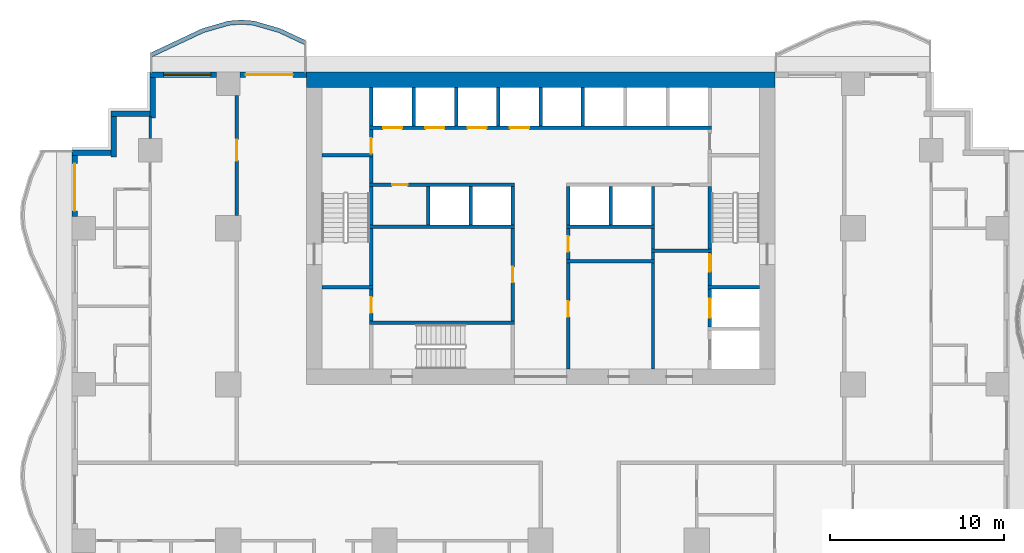
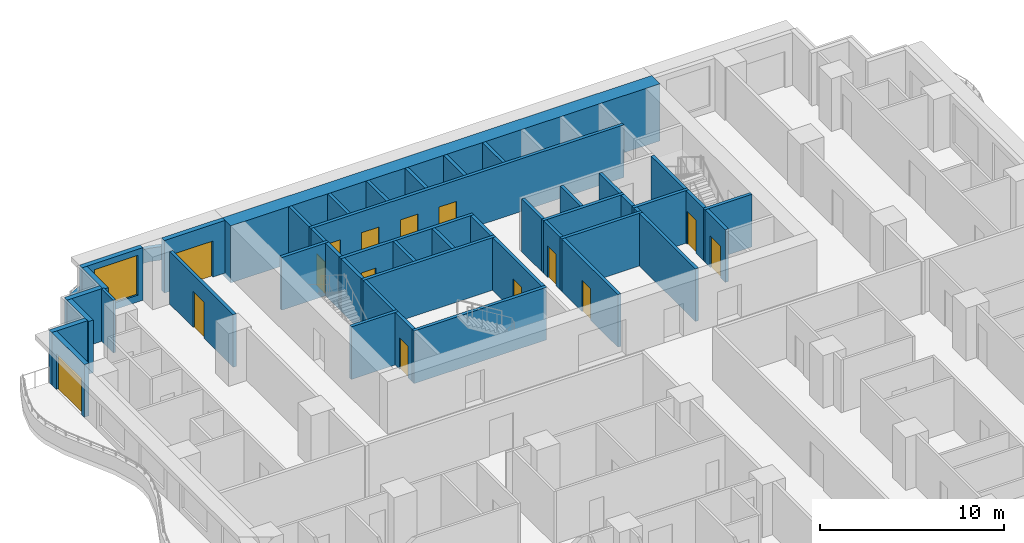
# One storey, part 5 of 13: 47 walls, 15 doors, 1 window, 16 openings.
"""IFC4 building model written with IfcOpenShell, lengths in metres."""

from ifc_helpers import new_model, si_unit, direction, frame, frame_2d, origin, place, context, subcontext, project, spatial, polyline, rectangle, outline, extrude, material, layer, layer_set, type_object, element, fill, save


model = new_model("IFC4")

# Units and contexts
model_context = context("Model", 3, precision=1e-05, world=origin(), true_north=direction((0.0, 1.0)))
body_context = subcontext(model_context, "Body", "Model", "MODEL_VIEW")
ifc_project = project(units=[si_unit("LENGTHUNIT", "METRE"), si_unit("AREAUNIT", "SQUARE_METRE"), si_unit("VOLUMEUNIT", "CUBIC_METRE"), si_unit("PLANEANGLEUNIT", "RADIAN"), si_unit("MASSUNIT", "GRAM", prefix="KILO")], contexts=[model_context])

# Site, building, storey
site_placement = place(None, origin())
site = spatial("IfcSite", under=ifc_project, at=site_placement, CompositionType="ELEMENT")
building_placement = place(site_placement, origin())
building = spatial("IfcBuilding", under=site, at=building_placement, Name="Orbiselva Terraces", CompositionType="ELEMENT")
storey_placement = place(building_placement, frame((0.0, 0.0, 77.0)))
storey = spatial("IfcBuildingStorey", under=building, at=storey_placement, Name="L19", CompositionType="ELEMENT", Elevation=77.0)

# Wall
ifc_material_1 = material(Name="Concrete C80/95", Category="concrete")
ifc_layer_1 = layer(ifc_material_1, 0.9)
ifc_layer_set_1 = layer_set([ifc_layer_1], Name="Concrete C80/95")
wall_type_1 = type_object("IfcWallType", Name="CORE WALL 900 EXTERNAL", PredefinedType="SHEAR", material=ifc_layer_set_1)
wall_1_placement = place(storey_placement, frame((13.5, 22.05, -0.3), z_axis=(0.0, 0.0, 1.0), x_axis=(-1.0, 0.0, 0.0)))
element("IfcWall", 1, at=wall_1_placement, inside=storey, type_object=wall_type_1, Name="Core wall L19 north", PredefinedType="SHEAR", context=body_context, shape_type="SweptSolid", body=[
    extrude(rectangle(XDim=27.0, YDim=0.9, at=frame_2d((13.5, 0.0))), origin(), (0.0, 0.0, 1.0), 3.8),
])

# Wall, opening, door
ifc_material_2 = material(Name="Masonry blockwork", Category="masonry")
ifc_layer_2 = layer(ifc_material_2, 0.2)
ifc_layer_set_2 = layer_set([ifc_layer_2], Name="Masonry blockwork")
wall_type_2 = type_object("IfcWallType", Name="CORE-WALL-PARTITION-200", PredefinedType="PARTITIONING", material=ifc_layer_set_2)
wall_2_placement = place(storey_placement, frame((-9.75, 8.15, 0.0), z_axis=(0.0, 0.0, 1.0), x_axis=(0.0, 1.0, 0.0)))
wall_2 = element("IfcWall", 2, at=wall_2_placement, inside=storey, type_object=wall_type_2, Name="L19 core wall 05", PredefinedType="PARTITIONING", context=body_context, shape_type="SweptSolid", body=[
    extrude(rectangle(XDim=1.85, YDim=0.2, at=frame_2d((0.925, 0.0))), origin(), (0.0, 0.0, 1.0), 3.5),
])
opening_1_placement = place(wall_2_placement, frame((0.475, 0.0, 0.0)))
opening_1 = element("IfcOpeningElement", 3, at=opening_1_placement, cuts=wall_2, Name="Opening DR900", PredefinedType="OPENING", context=body_context, shape_type="SweptSolid", body=[
    extrude(rectangle(XDim=0.9, YDim=2.1, at=frame_2d((0.45, 1.05))), frame((0.0, 0.11, 0.0), z_axis=(0.0, -1.0, 0.0), x_axis=(1.0, 0.0, 0.0)), (0.0, 0.0, 1.0), 0.22),
])
ifc_material_3 = material(Name="Steel fire door", Category="steel")
door_type_1 = type_object("IfcDoorType", Name="ROOM DOOR 900", OperationType="NOTDEFINED", PredefinedType="DOOR", material=ifc_material_3)
door_1_placement = place(opening_1_placement, origin())
door_1 = element("IfcDoor", 4, at=door_1_placement, inside=storey, type_object=door_type_1, Name="L19 ACCESSIBLE WC door", OperationType="SINGLE_SWING_RIGHT", OverallHeight=2.1, OverallWidth=0.9, PredefinedType="DOOR", context=body_context, shape_type="SweptSolid", body=[
    extrude(rectangle(XDim=0.9, YDim=2.1, at=frame_2d((0.45, 1.05))), frame((0.0, 0.025, 0.0), z_axis=(0.0, -1.0, 0.0), x_axis=(1.0, 0.0, 0.0)), (0.0, 0.0, 1.0), 0.05),
])
fill(opening_1, door_1)

wall_3_placement = place(storey_placement, frame((-9.75, 17.8, 0.0), z_axis=(0.0, 0.0, 1.0), x_axis=(0.0, 1.0, 0.0)))
wall_3 = element("IfcWall", 5, at=wall_3_placement, inside=storey, type_object=wall_type_2, Name="L19 core wall 11", PredefinedType="PARTITIONING", context=body_context, shape_type="SweptSolid", body=[
    extrude(rectangle(XDim=1.4, YDim=0.2, at=frame_2d((0.7, 0.0))), origin(), (0.0, 0.0, 1.0), 3.5),
])
opening_2_placement = place(wall_3_placement, origin())
opening_2 = element("IfcOpeningElement", 6, at=opening_2_placement, cuts=wall_3, Name="Opening DR900", PredefinedType="OPENING", context=body_context, shape_type="SweptSolid", body=[
    extrude(rectangle(XDim=0.9, YDim=2.1, at=frame_2d((0.45, 1.05))), frame((0.0, 0.11, 0.0), z_axis=(0.0, -1.0, 0.0), x_axis=(1.0, 0.0, 0.0)), (0.0, 0.0, 1.0), 0.22),
])
door_2_placement = place(opening_2_placement, origin())
door_2 = element("IfcDoor", 7, at=door_2_placement, inside=storey, type_object=door_type_1, Name="L19 COMMS RISER ROOM door", OperationType="SINGLE_SWING_LEFT", OverallHeight=2.1, OverallWidth=0.9, PredefinedType="DOOR", context=body_context, shape_type="SweptSolid", body=[
    extrude(rectangle(XDim=0.9, YDim=2.1, at=frame_2d((0.45, 1.05))), frame((0.0, 0.025, 0.0), z_axis=(0.0, -1.0, 0.0), x_axis=(1.0, 0.0, 0.0)), (0.0, 0.0, 1.0), 0.05),
])
fill(opening_2, door_2)

wall_4_placement = place(storey_placement, frame((1.6, 13.5, 0.0), z_axis=(0.0, 0.0, 1.0), x_axis=(0.0, -1.0, 0.0)))
wall_4 = element("IfcWall", 8, at=wall_4_placement, inside=storey, type_object=wall_type_2, Name="L19 core wall 25", PredefinedType="PARTITIONING", context=body_context, shape_type="SweptSolid", body=[
    extrude(rectangle(XDim=1.8, YDim=0.2, at=frame_2d((0.9, 0.0))), origin(), (0.0, 0.0, 1.0), 3.5),
])
opening_3_placement = place(wall_4_placement, frame((0.45, 0.0, 0.0)))
opening_3 = element("IfcOpeningElement", 9, at=opening_3_placement, cuts=wall_4, Name="Opening DR900", PredefinedType="OPENING", context=body_context, shape_type="SweptSolid", body=[
    extrude(rectangle(XDim=0.9, YDim=2.1, at=frame_2d((0.45, 1.05))), frame((0.0, 0.11, 0.0), z_axis=(0.0, -1.0, 0.0), x_axis=(1.0, 0.0, 0.0)), (0.0, 0.0, 1.0), 0.22),
])
door_3_placement = place(opening_3_placement, origin())
door_3 = element("IfcDoor", 10, at=door_3_placement, inside=storey, type_object=door_type_1, Name="L19 IT ROOM door", OperationType="SINGLE_SWING_LEFT", OverallHeight=2.1, OverallWidth=0.9, PredefinedType="DOOR", context=body_context, shape_type="SweptSolid", body=[
    extrude(rectangle(XDim=0.9, YDim=2.1, at=frame_2d((0.45, 1.05))), frame((0.0, 0.025, 0.0), z_axis=(0.0, -1.0, 0.0), x_axis=(1.0, 0.0, 0.0)), (0.0, 0.0, 1.0), 0.05),
])
fill(opening_3, door_3)

# Walls
wall_5_placement = place(storey_placement, frame((6.475, 12.3, 0.0), z_axis=(0.0, 0.0, 1.0), x_axis=(0.0, 1.0, 0.0)))
element("IfcWall", 11, at=wall_5_placement, inside=storey, type_object=wall_type_2, Name="L19 core wall 35", PredefinedType="PARTITIONING", context=body_context, shape_type="SweptSolid", body=[
    extrude(rectangle(XDim=1.2, YDim=0.2, at=frame_2d((0.6, 0.0))), origin(), (0.0, 0.0, 1.0), 3.5),
])
ifc_material_4 = material(Name="Concrete C40/50", Category="concrete")
ifc_layer_3 = layer(ifc_material_4, 0.2)
ifc_layer_set_3 = layer_set([ifc_layer_3], Name="Concrete C40/50")
wall_type_3 = type_object("IfcWallType", Name="CORE-WALL-SHAFT-200", PredefinedType="PARTITIONING", material=ifc_layer_set_3)
for number, where, z_axis, x_axis, name in (
    (12, (-9.75, 19.4, 0.0), (0.0, 0.0, 1.0), (0.0, 1.0, 0.0), "L19 core wall 13"),
    (13, (-7.3125, 19.4, 0.0), (0.0, 0.0, 1.0), (0.0, 1.0, 0.0), "L19 core wall 14"),
    (14, (-6.475, 13.7, 0.0), (0.0, 0.0, 1.0), (0.0, 1.0, 0.0), "L19 core wall 15"),
    (15, (-4.875, 19.4, 0.0), (0.0, 0.0, 1.0), (0.0, 1.0, 0.0), "L19 core wall 16"),
    (16, (-4.0375, 13.7, 0.0), (0.0, 0.0, 1.0), (0.0, 1.0, 0.0), "L19 core wall 17"),
    (17, (-2.4375, 19.4, 0.0), (0.0, 0.0, 1.0), (0.0, 1.0, 0.0), "L19 core wall 18"),
    (18, (-1.6, 13.7, 0.0), (0.0, 0.0, 1.0), (0.0, 1.0, 0.0), "L19 core wall 21"),
    (19, (0.0, 19.4, 0.0), (0.0, 0.0, 1.0), (0.0, 1.0, 0.0), "L19 core wall 22"),
    (20, (1.6, 13.7, 0.0), (0.0, 0.0, 1.0), (0.0, 1.0, 0.0), "L19 core wall 27"),
    (21, (2.4375, 19.4, 0.0), (0.0, 0.0, 1.0), (0.0, 1.0, 0.0), "L19 core wall 29"),
    (22, (4.0375, 13.7, 0.0), (0.0, 0.0, 1.0), (0.0, 1.0, 0.0), "L19 core wall 30"),
    (23, (6.475, 13.7, 0.0), (0.0, 0.0, 1.0), (0.0, 1.0, 0.0), "L19 core wall 36"),
):
    element("IfcWall", number, at=place(storey_placement, frame(where, z_axis=z_axis, x_axis=x_axis)), inside=storey, type_object=wall_type_3, Name=name, PredefinedType="PARTITIONING", context=body_context, shape_type="SweptSolid", body=[
        extrude(rectangle(XDim=2.2, YDim=0.2, at=frame_2d((1.1, 0.0))), origin(), (0.0, 0.0, 1.0), 3.5),
    ])
ifc_material_5 = material(Name="Concrete C60/75", Category="concrete")
ifc_layer_4 = layer(ifc_material_5, 0.2)
ifc_layer_set_4 = layer_set([ifc_layer_4], Name="Concrete C60/75")
wall_type_4 = type_object("IfcWallType", Name="CORE-WALL-SHEAR-200", PredefinedType="SHEAR", material=ifc_layer_set_4)
for number, where, z_axis, x_axis, name in (
    (24, (-12.6, 10.1, 0.0), (0.0, 0.0, 1.0), (1.0, 0.0, 0.0), "L19 core wall 01"),
    (25, (-12.6, 17.7, 0.0), (0.0, 0.0, 1.0), (1.0, 0.0, 0.0), "L19 core wall 02"),
):
    element("IfcWall", number, at=place(storey_placement, frame(where, z_axis=z_axis, x_axis=x_axis)), inside=storey, type_object=wall_type_4, Name=name, PredefinedType="SHEAR", context=body_context, shape_type="SweptSolid", body=[
        extrude(rectangle(XDim=2.95, YDim=0.2, at=frame_2d((1.475, 0.0))), origin(), (0.0, 0.0, 1.0), 3.5),
    ])
wall_6_placement = place(storey_placement, frame((-9.85, 8.05, 0.0), z_axis=(0.0, 0.0, 1.0), x_axis=(1.0, 0.0, 0.0)))
element("IfcWall", 26, at=wall_6_placement, inside=storey, type_object=wall_type_4, Name="L19 core wall 04", PredefinedType="SHEAR", context=body_context, shape_type="SweptSolid", body=[
    extrude(rectangle(XDim=8.35, YDim=0.2, at=frame_2d((4.175, 0.0))), origin(), (0.0, 0.0, 1.0), 3.5),
])
wall_7_placement = place(storey_placement, frame((-9.75, 10.2, 0.0), z_axis=(0.0, 0.0, 1.0), x_axis=(0.0, 1.0, 0.0)))
element("IfcWall", 27, at=wall_7_placement, inside=storey, type_object=wall_type_4, Name="L19 core wall 06", PredefinedType="SHEAR", context=body_context, shape_type="SweptSolid", body=[
    extrude(rectangle(XDim=3.3, YDim=0.2, at=frame_2d((1.65, 0.0))), origin(), (0.0, 0.0, 1.0), 3.5),
])
wall_8_placement = place(storey_placement, frame((-9.85, 13.6, 0.0), z_axis=(0.0, 0.0, 1.0), x_axis=(1.0, 0.0, 0.0)))
element("IfcWall", 28, at=wall_8_placement, inside=storey, type_object=wall_type_4, Name="L19 core wall 07", PredefinedType="SHEAR", context=body_context, shape_type="SweptSolid", body=[
    extrude(rectangle(XDim=8.35, YDim=0.2, at=frame_2d((4.175, 0.0))), origin(), (0.0, 0.0, 1.0), 3.5),
])
wall_9_placement = place(storey_placement, frame((-9.75, 13.7, 0.0), z_axis=(0.0, 0.0, 1.0), x_axis=(0.0, 1.0, 0.0)))
element("IfcWall", 29, at=wall_9_placement, inside=storey, type_object=wall_type_4, Name="L19 core wall 08", PredefinedType="SHEAR", context=body_context, shape_type="SweptSolid", body=[
    extrude(rectangle(XDim=2.2, YDim=0.2, at=frame_2d((1.1, 0.0))), origin(), (0.0, 0.0, 1.0), 3.5),
])

# Wall, opening, door
wall_10_placement = place(storey_placement, frame((-1.5, 16.0, 0.0), z_axis=(0.0, 0.0, 1.0), x_axis=(-1.0, 0.0, 0.0)))
wall_10 = element("IfcWall", 30, at=wall_10_placement, inside=storey, type_object=wall_type_4, Name="L19 core wall 09", PredefinedType="SHEAR", context=body_context, shape_type="SweptSolid", body=[
    extrude(rectangle(XDim=8.35, YDim=0.2, at=frame_2d((4.175, 0.0))), origin(), (0.0, 0.0, 1.0), 3.5),
])
opening_4_placement = place(wall_10_placement, frame((6.1625, 0.0, 0.0)))
opening_4 = element("IfcOpeningElement", 31, at=opening_4_placement, cuts=wall_10, Name="Opening DR900", PredefinedType="OPENING", context=body_context, shape_type="SweptSolid", body=[
    extrude(rectangle(XDim=0.9, YDim=2.1, at=frame_2d((0.45, 1.05))), frame((0.0, 0.11, 0.0), z_axis=(0.0, -1.0, 0.0), x_axis=(1.0, 0.0, 0.0)), (0.0, 0.0, 1.0), 0.22),
])
door_4_placement = place(opening_4_placement, origin())
door_4 = element("IfcDoor", 32, at=door_4_placement, inside=storey, type_object=door_type_1, Name="L19 IT ROOM door", OperationType="SINGLE_SWING_RIGHT", OverallHeight=2.1, OverallWidth=0.9, PredefinedType="DOOR", context=body_context, shape_type="SweptSolid", body=[
    extrude(rectangle(XDim=0.9, YDim=2.1, at=frame_2d((0.45, 1.05))), frame((0.0, 0.025, 0.0), z_axis=(0.0, -1.0, 0.0), x_axis=(1.0, 0.0, 0.0)), (0.0, 0.0, 1.0), 0.05),
])
fill(opening_4, door_4)

# Wall
wall_11_placement = place(storey_placement, frame((-9.75, 16.1, 0.0), z_axis=(0.0, 0.0, 1.0), x_axis=(0.0, 1.0, 0.0)))
element("IfcWall", 33, at=wall_11_placement, inside=storey, type_object=wall_type_4, Name="L19 core wall 10", PredefinedType="SHEAR", context=body_context, shape_type="SweptSolid", body=[
    extrude(rectangle(XDim=1.5, YDim=0.2, at=frame_2d((0.75, 0.0))), origin(), (0.0, 0.0, 1.0), 3.5),
])

# Wall, openings, doors
wall_12_placement = place(storey_placement, frame((-9.85, 19.3, 0.0), z_axis=(0.0, 0.0, 1.0), x_axis=(1.0, 0.0, 0.0)))
wall_12 = element("IfcWall", 34, at=wall_12_placement, inside=storey, type_object=wall_type_4, Name="L19 core wall 12", PredefinedType="SHEAR", context=body_context, shape_type="SweptSolid", body=[
    extrude(rectangle(XDim=19.7, YDim=0.2, at=frame_2d((9.85, 0.0))), origin(), (0.0, 0.0, 1.0), 3.5),
])
opening_5_placement = place(wall_12_placement, frame((0.76875, 0.0, 0.0)))
opening_5 = element("IfcOpeningElement", 35, at=opening_5_placement, cuts=wall_12, Name="Opening LD-LR1", PredefinedType="OPENING", context=body_context, shape_type="SweptSolid", body=[
    extrude(rectangle(XDim=1.1, YDim=2.1, at=frame_2d((0.55, 1.05))), frame((0.0, 0.11, 0.0), z_axis=(0.0, -1.0, 0.0), x_axis=(1.0, 0.0, 0.0)), (0.0, 0.0, 1.0), 0.22),
])
opening_6_placement = place(wall_12_placement, frame((3.20625, 0.0, 0.0)))
opening_6 = element("IfcOpeningElement", 36, at=opening_6_placement, cuts=wall_12, Name="Opening LD-LR2", PredefinedType="OPENING", context=body_context, shape_type="SweptSolid", body=[
    extrude(rectangle(XDim=1.1, YDim=2.1, at=frame_2d((0.55, 1.05))), frame((0.0, 0.11, 0.0), z_axis=(0.0, -1.0, 0.0), x_axis=(1.0, 0.0, 0.0)), (0.0, 0.0, 1.0), 0.22),
])
opening_7_placement = place(wall_12_placement, frame((5.64375, 0.0, 0.0)))
opening_7 = element("IfcOpeningElement", 37, at=opening_7_placement, cuts=wall_12, Name="Opening LD-LR3", PredefinedType="OPENING", context=body_context, shape_type="SweptSolid", body=[
    extrude(rectangle(XDim=1.1, YDim=2.1, at=frame_2d((0.55, 1.05))), frame((0.0, 0.11, 0.0), z_axis=(0.0, -1.0, 0.0), x_axis=(1.0, 0.0, 0.0)), (0.0, 0.0, 1.0), 0.22),
])
opening_8_placement = place(wall_12_placement, frame((8.08125, 0.0, 0.0)))
opening_8 = element("IfcOpeningElement", 38, at=opening_8_placement, cuts=wall_12, Name="Opening LD-LR4", PredefinedType="OPENING", context=body_context, shape_type="SweptSolid", body=[
    extrude(rectangle(XDim=1.1, YDim=2.1, at=frame_2d((0.55, 1.05))), frame((0.0, 0.11, 0.0), z_axis=(0.0, -1.0, 0.0), x_axis=(1.0, 0.0, 0.0)), (0.0, 0.0, 1.0), 0.22),
])
ifc_material_6 = material(Name="Stainless steel landing door", Category="steel")
door_type_2 = type_object("IfcDoorType", Name="LANDING DOOR 1100", OperationType="SLIDING_TO_LEFT", PredefinedType="DOOR", material=ifc_material_6)
door_5_placement = place(opening_5_placement, origin())
door_5 = element("IfcDoor", 39, at=door_5_placement, inside=storey, type_object=door_type_2, Name="L19 landing door LR1", OperationType="SLIDING_TO_LEFT", OverallHeight=2.1, OverallWidth=1.1, PredefinedType="DOOR", context=body_context, shape_type="SweptSolid", body=[
    extrude(rectangle(XDim=1.1, YDim=2.1, at=frame_2d((0.55, 1.05))), frame((0.0, 0.025, 0.0), z_axis=(0.0, -1.0, 0.0), x_axis=(1.0, 0.0, 0.0)), (0.0, 0.0, 1.0), 0.05),
])
fill(opening_5, door_5)
door_6_placement = place(opening_6_placement, origin())
door_6 = element("IfcDoor", 40, at=door_6_placement, inside=storey, type_object=door_type_2, Name="L19 landing door LR2", OperationType="SLIDING_TO_LEFT", OverallHeight=2.1, OverallWidth=1.1, PredefinedType="DOOR", context=body_context, shape_type="SweptSolid", body=[
    extrude(rectangle(XDim=1.1, YDim=2.1, at=frame_2d((0.55, 1.05))), frame((0.0, 0.025, 0.0), z_axis=(0.0, -1.0, 0.0), x_axis=(1.0, 0.0, 0.0)), (0.0, 0.0, 1.0), 0.05),
])
fill(opening_6, door_6)
door_7_placement = place(opening_7_placement, origin())
door_7 = element("IfcDoor", 41, at=door_7_placement, inside=storey, type_object=door_type_2, Name="L19 landing door LR3", OperationType="SLIDING_TO_LEFT", OverallHeight=2.1, OverallWidth=1.1, PredefinedType="DOOR", context=body_context, shape_type="SweptSolid", body=[
    extrude(rectangle(XDim=1.1, YDim=2.1, at=frame_2d((0.55, 1.05))), frame((0.0, 0.025, 0.0), z_axis=(0.0, -1.0, 0.0), x_axis=(1.0, 0.0, 0.0)), (0.0, 0.0, 1.0), 0.05),
])
fill(opening_7, door_7)
door_8_placement = place(opening_8_placement, origin())
door_8 = element("IfcDoor", 42, at=door_8_placement, inside=storey, type_object=door_type_2, Name="L19 landing door LR4", OperationType="SLIDING_TO_LEFT", OverallHeight=2.1, OverallWidth=1.1, PredefinedType="DOOR", context=body_context, shape_type="SweptSolid", body=[
    extrude(rectangle(XDim=1.1, YDim=2.1, at=frame_2d((0.55, 1.05))), frame((0.0, 0.025, 0.0), z_axis=(0.0, -1.0, 0.0), x_axis=(1.0, 0.0, 0.0)), (0.0, 0.0, 1.0), 0.05),
])
fill(opening_8, door_8)

# Wall, opening, door
wall_13_placement = place(storey_placement, frame((-1.6, 8.15, 0.0), z_axis=(0.0, 0.0, 1.0), x_axis=(0.0, 1.0, 0.0)))
wall_13 = element("IfcWall", 43, at=wall_13_placement, inside=storey, type_object=wall_type_4, Name="L19 core wall 20", PredefinedType="SHEAR", context=body_context, shape_type="SweptSolid", body=[
    extrude(rectangle(XDim=5.35, YDim=0.2, at=frame_2d((2.675, 0.0))), origin(), (0.0, 0.0, 1.0), 3.5),
])
opening_9_placement = place(wall_13_placement, frame((2.225, 0.0, 0.0)))
opening_9 = element("IfcOpeningElement", 44, at=opening_9_placement, cuts=wall_13, Name="Opening DR900", PredefinedType="OPENING", context=body_context, shape_type="SweptSolid", body=[
    extrude(rectangle(XDim=0.9, YDim=2.1, at=frame_2d((0.45, 1.05))), frame((0.0, 0.11, 0.0), z_axis=(0.0, -1.0, 0.0), x_axis=(1.0, 0.0, 0.0)), (0.0, 0.0, 1.0), 0.22),
])
door_9_placement = place(opening_9_placement, origin())
door_9 = element("IfcDoor", 45, at=door_9_placement, inside=storey, type_object=door_type_1, Name="L19 LINEN STORE door", OperationType="SINGLE_SWING_RIGHT", OverallHeight=2.1, OverallWidth=0.9, PredefinedType="DOOR", context=body_context, shape_type="SweptSolid", body=[
    extrude(rectangle(XDim=0.9, YDim=2.1, at=frame_2d((0.45, 1.05))), frame((0.0, 0.025, 0.0), z_axis=(0.0, -1.0, 0.0), x_axis=(1.0, 0.0, 0.0)), (0.0, 0.0, 1.0), 0.05),
])
fill(opening_9, door_9)

wall_14_placement = place(storey_placement, frame((1.6, 11.5, 0.0), z_axis=(0.0, 0.0, 1.0), x_axis=(0.0, -1.0, 0.0)))
wall_14 = element("IfcWall", 46, at=wall_14_placement, inside=storey, type_object=wall_type_4, Name="L19 core wall 23", PredefinedType="SHEAR", context=body_context, shape_type="SweptSolid", body=[
    extrude(rectangle(XDim=6.1, YDim=0.2, at=frame_2d((3.05, 0.0))), origin(), (0.0, 0.0, 1.0), 3.5),
])
opening_10_placement = place(wall_14_placement, frame((2.2, 0.0, 0.0)))
opening_10 = element("IfcOpeningElement", 47, at=opening_10_placement, cuts=wall_14, Name="Opening DR900", PredefinedType="OPENING", context=body_context, shape_type="SweptSolid", body=[
    extrude(rectangle(XDim=0.9, YDim=2.1, at=frame_2d((0.45, 1.05))), frame((0.0, 0.11, 0.0), z_axis=(0.0, -1.0, 0.0), x_axis=(1.0, 0.0, 0.0)), (0.0, 0.0, 1.0), 0.22),
])
door_10_placement = place(opening_10_placement, origin())
door_10 = element("IfcDoor", 48, at=door_10_placement, inside=storey, type_object=door_type_1, Name="L19 SERVICE ROOM door", OperationType="SINGLE_SWING_LEFT", OverallHeight=2.1, OverallWidth=0.9, PredefinedType="DOOR", context=body_context, shape_type="SweptSolid", body=[
    extrude(rectangle(XDim=0.9, YDim=2.1, at=frame_2d((0.45, 1.05))), frame((0.0, 0.025, 0.0), z_axis=(0.0, -1.0, 0.0), x_axis=(1.0, 0.0, 0.0)), (0.0, 0.0, 1.0), 0.05),
])
fill(opening_10, door_10)

# Walls
for number, where, z_axis, x_axis, name in (
    (49, (1.5, 11.6, 0.0), (0.0, 0.0, 1.0), (1.0, 0.0, 0.0), "L19 core wall 24"),
    (50, (1.5, 13.6, 0.0), (0.0, 0.0, 1.0), (1.0, 0.0, 0.0), "L19 core wall 26"),
):
    element("IfcWall", number, at=place(storey_placement, frame(where, z_axis=z_axis, x_axis=x_axis)), inside=storey, type_object=wall_type_4, Name=name, PredefinedType="SHEAR", context=body_context, shape_type="SweptSolid", body=[
        extrude(rectangle(XDim=5.075, YDim=0.2, at=frame_2d((2.5375, 0.0))), origin(), (0.0, 0.0, 1.0), 3.5),
    ])
wall_15_placement = place(storey_placement, frame((6.475, 5.4, 0.0), z_axis=(0.0, 0.0, 1.0), x_axis=(0.0, 1.0, 0.0)))
element("IfcWall", 51, at=wall_15_placement, inside=storey, type_object=wall_type_4, Name="L19 core wall 32", PredefinedType="SHEAR", context=body_context, shape_type="SweptSolid", body=[
    extrude(rectangle(XDim=6.1, YDim=0.2, at=frame_2d((3.05, 0.0))), origin(), (0.0, 0.0, 1.0), 3.5),
])
wall_16_placement = place(storey_placement, frame((6.475, 11.7, 0.0), z_axis=(0.0, 0.0, 1.0), x_axis=(0.0, 1.0, 0.0)))
element("IfcWall", 52, at=wall_16_placement, inside=storey, type_object=wall_type_4, Name="L19 core wall 33", PredefinedType="SHEAR", context=body_context, shape_type="SweptSolid", body=[
    extrude(rectangle(XDim=0.4, YDim=0.2, at=frame_2d((0.2, 0.0))), origin(), (0.0, 0.0, 1.0), 3.5),
])
wall_17_placement = place(storey_placement, frame((6.375, 12.2, 0.0), z_axis=(0.0, 0.0, 1.0), x_axis=(1.0, 0.0, 0.0)))
element("IfcWall", 53, at=wall_17_placement, inside=storey, type_object=wall_type_4, Name="L19 core wall 34", PredefinedType="SHEAR", context=body_context, shape_type="SweptSolid", body=[
    extrude(rectangle(XDim=3.475, YDim=0.2, at=frame_2d((1.7375, 0.0))), origin(), (0.0, 0.0, 1.0), 3.5),
])

# Wall, opening, door
wall_18_placement = place(storey_placement, frame((9.75, 7.8, 0.0), z_axis=(0.0, 0.0, 1.0), x_axis=(0.0, 1.0, 0.0)))
wall_18 = element("IfcWall", 54, at=wall_18_placement, inside=storey, type_object=wall_type_4, Name="L19 core wall 40", PredefinedType="SHEAR", context=body_context, shape_type="SweptSolid", body=[
    extrude(rectangle(XDim=2.2, YDim=0.2, at=frame_2d((1.1, 0.0))), origin(), (0.0, 0.0, 1.0), 3.5),
])
opening_11_placement = place(wall_18_placement, frame((0.55, 0.0, 0.0)))
opening_11 = element("IfcOpeningElement", 55, at=opening_11_placement, cuts=wall_18, Name="Opening LD-FF2", PredefinedType="OPENING", context=body_context, shape_type="SweptSolid", body=[
    extrude(rectangle(XDim=1.1, YDim=2.1, at=frame_2d((0.55, 1.05))), frame((0.0, 0.11, 0.0), z_axis=(0.0, -1.0, 0.0), x_axis=(1.0, 0.0, 0.0)), (0.0, 0.0, 1.0), 0.22),
])
door_11_placement = place(opening_11_placement, origin())
door_11 = element("IfcDoor", 56, at=door_11_placement, inside=storey, type_object=door_type_2, Name="L19 landing door FF2", OperationType="SLIDING_TO_RIGHT", OverallHeight=2.1, OverallWidth=1.1, PredefinedType="DOOR", context=body_context, shape_type="SweptSolid", body=[
    extrude(rectangle(XDim=1.1, YDim=2.1, at=frame_2d((0.55, 1.05))), frame((0.0, 0.025, 0.0), z_axis=(0.0, -1.0, 0.0), x_axis=(1.0, 0.0, 0.0)), (0.0, 0.0, 1.0), 0.05),
])
fill(opening_11, door_11)

# Wall
wall_19_placement = place(storey_placement, frame((9.65, 10.1, 0.0), z_axis=(0.0, 0.0, 1.0), x_axis=(1.0, 0.0, 0.0)))
element("IfcWall", 57, at=wall_19_placement, inside=storey, type_object=wall_type_4, Name="L19 core wall 41", PredefinedType="SHEAR", context=body_context, shape_type="SweptSolid", body=[
    extrude(rectangle(XDim=2.95, YDim=0.2, at=frame_2d((1.475, 0.0))), origin(), (0.0, 0.0, 1.0), 3.5),
])

# Wall, opening, door
wall_20_placement = place(storey_placement, frame((9.75, 12.1, 0.0), z_axis=(0.0, 0.0, 1.0), x_axis=(0.0, -1.0, 0.0)))
wall_20 = element("IfcWall", 58, at=wall_20_placement, inside=storey, type_object=wall_type_4, Name="L19 core wall 42", PredefinedType="SHEAR", context=body_context, shape_type="SweptSolid", body=[
    extrude(rectangle(XDim=1.9, YDim=0.2, at=frame_2d((0.95, 0.0))), origin(), (0.0, 0.0, 1.0), 3.5),
])
opening_12_placement = place(wall_20_placement, frame((0.1, 0.0, 0.0)))
opening_12 = element("IfcOpeningElement", 59, at=opening_12_placement, cuts=wall_20, Name="Opening DS1000", PredefinedType="OPENING", context=body_context, shape_type="SweptSolid", body=[
    extrude(rectangle(XDim=1.0, YDim=2.2, at=frame_2d((0.5, 1.1))), frame((0.0, 0.11, 0.0), z_axis=(0.0, -1.0, 0.0), x_axis=(1.0, 0.0, 0.0)), (0.0, 0.0, 1.0), 0.22),
])
door_type_3 = type_object("IfcDoorType", Name="STAIR DOOR 1000", OperationType="NOTDEFINED", PredefinedType="DOOR", material=ifc_material_3)
door_12_placement = place(opening_12_placement, origin())
door_12 = element("IfcDoor", 60, at=door_12_placement, inside=storey, type_object=door_type_3, Name="L19 FIRE-FIGHTING LOBBY TO EXIT STAIR S2 door", OperationType="SINGLE_SWING_LEFT", OverallHeight=2.2, OverallWidth=1.0, PredefinedType="DOOR", context=body_context, shape_type="SweptSolid", body=[
    extrude(rectangle(XDim=1.0, YDim=2.2, at=frame_2d((0.5, 1.1))), frame((0.0, 0.025, 0.0), z_axis=(0.0, -1.0, 0.0), x_axis=(1.0, 0.0, 0.0)), (0.0, 0.0, 1.0), 0.05),
])
fill(opening_12, door_12)

# Walls
wall_21_placement = place(storey_placement, frame((9.75, 12.3, 0.0), z_axis=(0.0, 0.0, 1.0), x_axis=(0.0, 1.0, 0.0)))
element("IfcWall", 61, at=wall_21_placement, inside=storey, type_object=wall_type_4, Name="L19 core wall 43", PredefinedType="SHEAR", context=body_context, shape_type="SweptSolid", body=[
    extrude(rectangle(XDim=3.6, YDim=0.2, at=frame_2d((1.8, 0.0))), origin(), (0.0, 0.0, 1.0), 3.5),
])
ifc_layer_5 = layer(ifc_material_4, 0.25)
ifc_layer_set_5 = layer_set([ifc_layer_5], Name="Concrete C40/50")
wall_type_5 = type_object("IfcWallType", Name="ENV-PLANTER-250x900", PredefinedType="USERDEFINED", material=ifc_layer_set_5)
wall_22_placement = place(storey_placement, origin())
element("IfcWall", 62, at=wall_22_placement, inside=storey, type_object=wall_type_5, Name="Balcony planter L19 NW", ObjectType="PLANTER", PredefinedType="USERDEFINED", context=body_context, shape_type="SweptSolid", body=[
    extrude(outline(polyline([(-13.5, 24.3), (-15.0, 25.005342), (-16.5, 25.441268), (-17.25, 25.5), (-18.0, 25.441268), (-19.5, 25.005342), (-21.0, 24.3), (-22.5, 23.594658), (-22.393617, 23.368422), (-20.893617, 24.073764), (-19.411382, 24.770753), (-17.954886, 25.194035), (-17.25, 25.249235), (-16.545114, 25.194035), (-15.088618, 24.770753), (-13.606383, 24.073764), (-13.5, 24.3)])), origin(), (0.0, 0.0, 1.0), 0.9),
])

# Wall, opening, door
ifc_material_7 = material(Name="Terracotta cladding on masonry backing", Category="masonry")
ifc_layer_6 = layer(ifc_material_7, 0.3)
ifc_layer_set_6 = layer_set([ifc_layer_6], Name="Terracotta cladding on masonry backing")
wall_type_6 = type_object("IfcWallType", Name="ENV-WALL-TERRACOTTA-300", PredefinedType="SOLIDWALL", material=ifc_layer_set_6)
wall_23_placement = place(storey_placement, frame((-17.325, 22.35, 0.0), z_axis=(0.0, 0.0, 1.0), x_axis=(1.0, 0.0, 0.0)))
wall_23 = element("IfcWall", 63, at=wall_23_placement, inside=storey, type_object=wall_type_6, Name="Facade wall L19 NW", PredefinedType="SOLIDWALL", context=body_context, shape_type="SweptSolid", body=[
    extrude(rectangle(XDim=3.825, YDim=0.3, at=frame_2d((1.9125, 0.0))), origin(), (0.0, 0.0, 1.0), 3.5),
])
opening_13_placement = place(wall_23_placement, frame((0.325, 0.0, 0.0)))
opening_13 = element("IfcOpeningElement", 64, at=opening_13_placement, cuts=wall_23, Name="Opening Z2-A-E19", PredefinedType="OPENING", context=body_context, shape_type="SweptSolid", body=[
    extrude(rectangle(XDim=2.725, YDim=2.4, at=frame_2d((1.3625, 1.2))), frame((0.0, 0.16, 0.0), z_axis=(0.0, -1.0, 0.0), x_axis=(1.0, 0.0, 0.0)), (0.0, 0.0, 1.0), 0.32),
])
ifc_material_8 = material(Name="Clear low-e glazing in aluminium frame", Category="aluminium")
door_type_4 = type_object("IfcDoorType", Name="BALCONY DOOR 2725 X 2400", OperationType="DOUBLE_DOOR_SLIDING", PredefinedType="DOOR", material=ifc_material_8)
door_13_placement = place(opening_13_placement, origin())
door_13 = element("IfcDoor", 65, at=door_13_placement, inside=storey, type_object=door_type_4, Name="Z2-A-E19", OperationType="SINGLE_SWING_LEFT", OverallHeight=2.4, OverallWidth=2.725, PredefinedType="DOOR", context=body_context, shape_type="SweptSolid", body=[
    extrude(rectangle(XDim=2.725, YDim=2.4, at=frame_2d((1.3625, 1.2))), frame((0.0, 0.025, 0.0), z_axis=(0.0, -1.0, 0.0), x_axis=(1.0, 0.0, 0.0)), (0.0, 0.0, 1.0), 0.05),
])
fill(opening_13, door_13)

# Wall, opening, window
wall_24_placement = place(storey_placement, frame((-22.5, 22.35, 0.0), z_axis=(0.0, 0.0, 1.0), x_axis=(1.0, 0.0, 0.0)))
wall_24 = element("IfcWall", 66, at=wall_24_placement, inside=storey, type_object=wall_type_6, Name="Facade wall L19 NW", PredefinedType="SOLIDWALL", context=body_context, shape_type="SweptSolid", body=[
    extrude(rectangle(XDim=3.825, YDim=0.3, at=frame_2d((1.9125, 0.0))), origin(), (0.0, 0.0, 1.0), 3.5),
])
opening_14_placement = place(wall_24_placement, frame((0.775, 0.0, 0.45)))
opening_14 = element("IfcOpeningElement", 67, at=opening_14_placement, cuts=wall_24, Name="Opening WN5", PredefinedType="OPENING", context=body_context, shape_type="SweptSolid", body=[
    extrude(rectangle(XDim=2.725, YDim=2.65, at=frame_2d((1.3625, 1.325))), frame((0.0, 0.16, 0.0), z_axis=(0.0, -1.0, 0.0), x_axis=(1.0, 0.0, 0.0)), (0.0, 0.0, 1.0), 0.32),
])
window_type = type_object("IfcWindowType", Name="WINDOW 2725 X 2650 S450", PartitioningType="TRIPLE_PANEL_VERTICAL", PredefinedType="WINDOW", material=ifc_material_8)
window_placement = place(opening_14_placement, origin())
window = element("IfcWindow", 68, at=window_placement, inside=storey, type_object=window_type, Name="Window L19 NW", OverallHeight=2.65, OverallWidth=2.725, PartitioningType="SINGLE_PANEL", PredefinedType="WINDOW", context=body_context, shape_type="SweptSolid", body=[
    extrude(rectangle(XDim=2.725, YDim=2.65, at=frame_2d((1.3625, 1.325))), frame((0.0, 0.03, 0.0), z_axis=(0.0, -1.0, 0.0), x_axis=(1.0, 0.0, 0.0)), (0.0, 0.0, 1.0), 0.06),
])
fill(opening_14, window)

# Walls
wall_25_placement = place(storey_placement, frame((-22.35, 19.85, 0.0), z_axis=(0.0, 0.0, 1.0), x_axis=(0.0, 1.0, 0.0)))
element("IfcWall", 69, at=wall_25_placement, inside=storey, type_object=wall_type_6, Name="Facade wall L19 STEP", PredefinedType="SOLIDWALL", context=body_context, shape_type="SweptSolid", body=[
    extrude(rectangle(XDim=2.35, YDim=0.3, at=frame_2d((1.175, 0.0))), origin(), (0.0, 0.0, 1.0), 3.5),
])
wall_26_placement = place(storey_placement, frame((-24.75, 20.1, 0.0), z_axis=(0.0, 0.0, 1.0), x_axis=(1.0, 0.0, 0.0)))
element("IfcWall", 70, at=wall_26_placement, inside=storey, type_object=wall_type_6, Name="Facade wall L19 STEP", PredefinedType="SOLIDWALL", context=body_context, shape_type="SweptSolid", body=[
    extrude(rectangle(XDim=2.25, YDim=0.3, at=frame_2d((1.125, 0.0))), origin(), (0.0, 0.0, 1.0), 3.5),
])
wall_27_placement = place(storey_placement, frame((-24.6, 17.6, 0.0), z_axis=(0.0, 0.0, 1.0), x_axis=(0.0, 1.0, 0.0)))
element("IfcWall", 71, at=wall_27_placement, inside=storey, type_object=wall_type_6, Name="Facade wall L19 STEP", PredefinedType="SOLIDWALL", context=body_context, shape_type="SweptSolid", body=[
    extrude(rectangle(XDim=2.35, YDim=0.3, at=frame_2d((1.175, 0.0))), origin(), (0.0, 0.0, 1.0), 3.5),
])
wall_28_placement = place(storey_placement, frame((-27.0, 17.85, 0.0), z_axis=(0.0, 0.0, 1.0), x_axis=(1.0, 0.0, 0.0)))
element("IfcWall", 72, at=wall_28_placement, inside=storey, type_object=wall_type_6, Name="Facade wall L19 STEP", PredefinedType="SOLIDWALL", context=body_context, shape_type="SweptSolid", body=[
    extrude(rectangle(XDim=2.25, YDim=0.3, at=frame_2d((1.125, 0.0))), origin(), (0.0, 0.0, 1.0), 3.5),
])

# Wall, opening, door
wall_29_placement = place(storey_placement, frame((-26.85, 14.175, 0.0), z_axis=(0.0, 0.0, 1.0), x_axis=(0.0, 1.0, 0.0)))
wall_29 = element("IfcWall", 73, at=wall_29_placement, inside=storey, type_object=wall_type_6, Name="Facade wall L19 W", PredefinedType="SOLIDWALL", context=body_context, shape_type="SweptSolid", body=[
    extrude(rectangle(XDim=3.525, YDim=0.3, at=frame_2d((1.7625, 0.0))), origin(), (0.0, 0.0, 1.0), 3.5),
])
opening_15_placement = place(wall_29_placement, frame((0.325, 0.0, 0.0)))
opening_15 = element("IfcOpeningElement", 74, at=opening_15_placement, cuts=wall_29, Name="Opening Z2-A-E20", PredefinedType="OPENING", context=body_context, shape_type="SweptSolid", body=[
    extrude(rectangle(XDim=2.725, YDim=2.4, at=frame_2d((1.3625, 1.2))), frame((0.0, 0.16, 0.0), z_axis=(0.0, -1.0, 0.0), x_axis=(1.0, 0.0, 0.0)), (0.0, 0.0, 1.0), 0.32),
])
door_14_placement = place(opening_15_placement, origin())
door_14 = element("IfcDoor", 75, at=door_14_placement, inside=storey, type_object=door_type_4, Name="Z2-A-E20", OperationType="SINGLE_SWING_LEFT", OverallHeight=2.4, OverallWidth=2.725, PredefinedType="DOOR", context=body_context, shape_type="SweptSolid", body=[
    extrude(rectangle(XDim=2.725, YDim=2.4, at=frame_2d((1.3625, 1.2))), frame((0.0, 0.025, 0.0), z_axis=(0.0, -1.0, 0.0), x_axis=(1.0, 0.0, 0.0)), (0.0, 0.0, 1.0), 0.05),
])
fill(opening_15, door_14)

ifc_material_9 = material(Name="Plasterboard on steel stud partition", Category="steel")
ifc_layer_7 = layer(ifc_material_9, 0.2)
ifc_layer_set_7 = layer_set([ifc_layer_7], Name="Plasterboard on steel stud partition")
wall_type_7 = type_object("IfcWallType", Name="UNIT-ENTRANCE-WALL-200", PredefinedType="PARTITIONING", material=ifc_layer_set_7)
wall_30_placement = place(storey_placement, frame((-17.5, 14.225, 0.0), z_axis=(0.0, 0.0, 1.0), x_axis=(0.0, 1.0, 0.0)))
wall_30 = element("IfcWall", 76, at=wall_30_placement, inside=storey, type_object=wall_type_7, Name="PARTITION L19-053", PredefinedType="PARTITIONING", context=body_context, shape_type="SweptSolid", body=[
    extrude(rectangle(XDim=6.925, YDim=0.2, at=frame_2d((3.4625, 0.0))), origin(), (0.0, 0.0, 1.0), 3.5),
])
opening_16_placement = place(wall_30_placement, frame((3.175, 0.0, 0.0)))
opening_16 = element("IfcOpeningElement", 77, at=opening_16_placement, cuts=wall_30, Name="Opening Z2-A-01", PredefinedType="OPENING", context=body_context, shape_type="SweptSolid", body=[
    extrude(rectangle(XDim=1.2, YDim=2.4, at=frame_2d((0.6, 1.2))), frame((0.0, 0.11, 0.0), z_axis=(0.0, -1.0, 0.0), x_axis=(1.0, 0.0, 0.0)), (0.0, 0.0, 1.0), 0.22),
])
ifc_material_10 = material(Name="Painted timber door leaf", Category="wood")
door_type_5 = type_object("IfcDoorType", Name="ENTRANCE DOOR 1200", OperationType="NOTDEFINED", PredefinedType="DOOR", material=ifc_material_10)
door_15_placement = place(opening_16_placement, origin())
door_15 = element("IfcDoor", 78, at=door_15_placement, inside=storey, type_object=door_type_5, Name="Z2-A-01", OperationType="SINGLE_SWING_RIGHT", OverallHeight=2.4, OverallWidth=1.2, PredefinedType="DOOR", context=body_context, shape_type="SweptSolid", body=[
    extrude(rectangle(XDim=1.2, YDim=2.4, at=frame_2d((0.6, 1.2))), frame((0.0, 0.025, 0.0), z_axis=(0.0, -1.0, 0.0), x_axis=(1.0, 0.0, 0.0)), (0.0, 0.0, 1.0), 0.05),
])
fill(opening_16, door_15)

# Wall
ifc_layer_8 = layer(ifc_material_9, 0.15)
ifc_layer_set_8 = layer_set([ifc_layer_8], Name="Plasterboard on steel stud partition")
wall_type_8 = type_object("IfcWallType", Name="UNIT-PARTITION-150", PredefinedType="PARTITIONING", material=ifc_layer_set_8)
wall_31_placement = place(storey_placement, frame((-22.5, 18.675, 0.0), z_axis=(0.0, 0.0, 1.0), x_axis=(0.0, 1.0, 0.0)))
element("IfcWall", 79, at=wall_31_placement, inside=storey, type_object=wall_type_8, Name="PARTITION L19-047", PredefinedType="PARTITIONING", context=body_context, shape_type="SweptSolid", body=[
    extrude(rectangle(XDim=1.275, YDim=0.15, at=frame_2d((0.6375, 0.0))), origin(), (0.0, 0.0, 1.0), 3.5),
])

save(model, "model.ifc")
